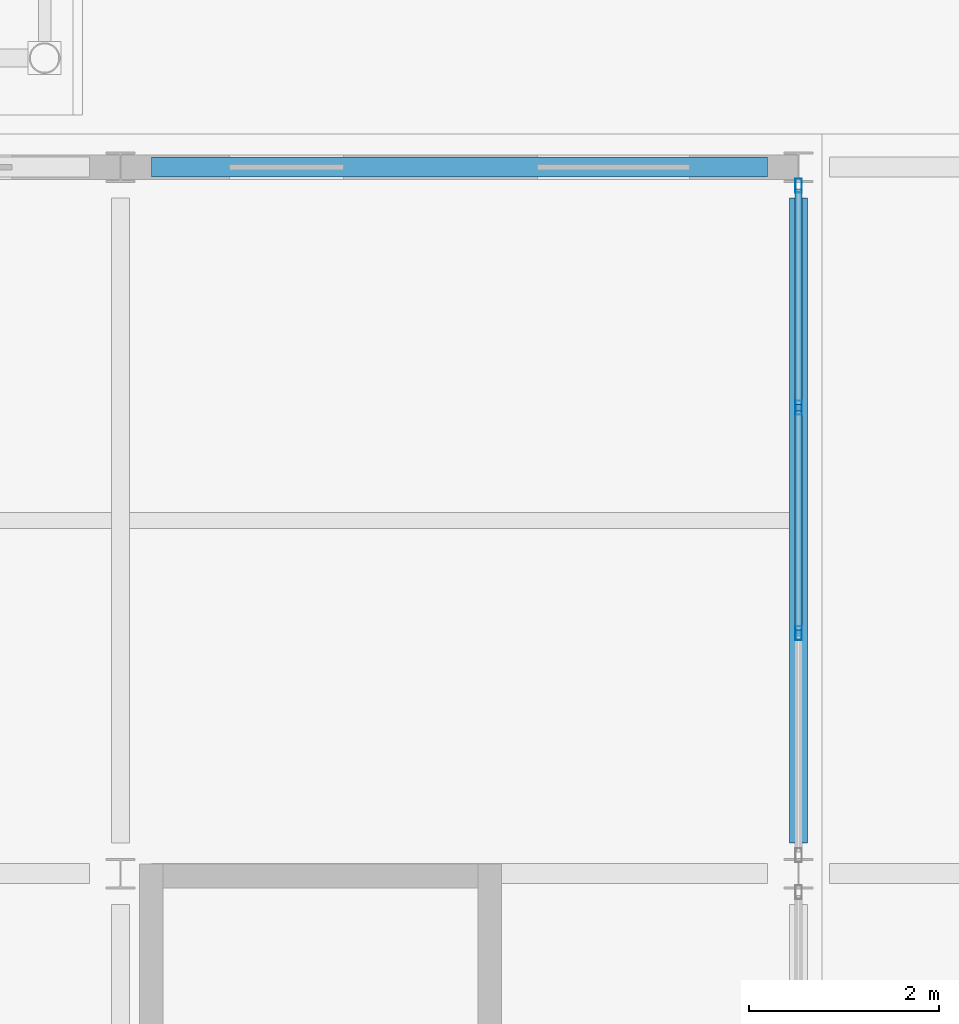
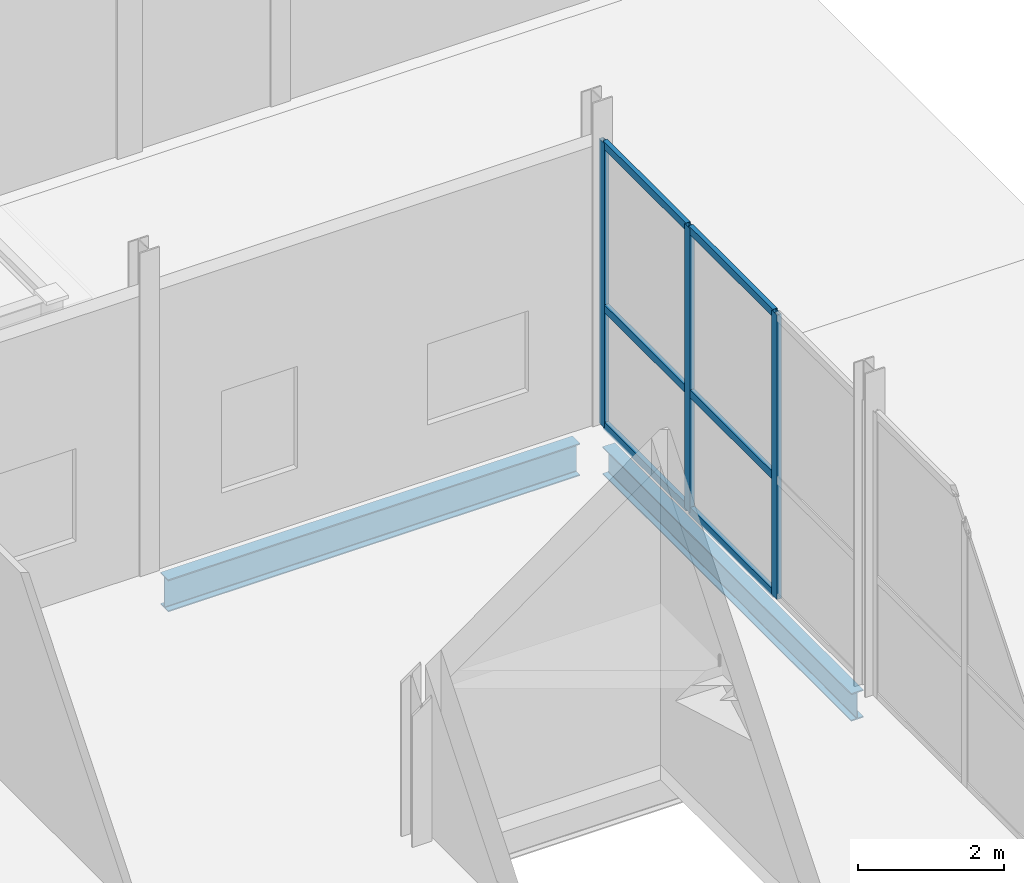
# One storey, part 21 of 83: 9 members, 2 beams, 1 element without a shape of its own.
"""IFC4 building model written with IfcOpenShell, lengths in metres."""

from ifc_helpers import new_model, si_unit, direction, frame, origin, origin_2d, place, context, subcontext, project, spatial, hollow_rectangle, i_section, extrude, material, layer, layer_set, material_profile, profile_set, type_object, element, aggregate, save


model = new_model("IFC4")

# Units and contexts
model_context = context("Model", 3, precision=1e-05, world=origin(), true_north=direction((0.0, 1.0)))
body_context = subcontext(model_context, "Body", "Model", "MODEL_VIEW")
ifc_project = project(units=[si_unit("LENGTHUNIT", "METRE"), si_unit("AREAUNIT", "SQUARE_METRE"), si_unit("VOLUMEUNIT", "CUBIC_METRE"), si_unit("PLANEANGLEUNIT", "RADIAN"), si_unit("MASSUNIT", "GRAM", prefix="KILO")], contexts=[model_context])

# Site, building, storey
site_placement = place(None, origin())
site = spatial("IfcSite", under=ifc_project, at=site_placement, CompositionType="ELEMENT")
building_placement = place(site_placement, origin())
building = spatial("IfcBuilding", under=site, at=building_placement, Name="Quillay Park Conservatory", CompositionType="ELEMENT")
storey_placement = place(building_placement, origin())
storey = spatial("IfcBuildingStorey", under=building, at=storey_placement, Name="L00", CompositionType="ELEMENT", Elevation=0.0)

# Curtain wall, members
ifc_material_1 = material(Name="Thermally Broken Anodised Aluminium 6063-T6", Category="aluminium")
ifc_layer = layer(ifc_material_1, 0.1650390625)
ifc_layer_set = layer_set([ifc_layer], Name="UNITISED CURTAIN WALL PODIUM (Thermally Broken Anodised Aluminium 6063-T6)")
curtain_wall_type = type_object("IfcCurtainWallType", Name="UNITISED CURTAIN WALL PODIUM", PredefinedType="USERDEFINED", material=ifc_layer_set)
curtain_wall_placement = place(storey_placement, origin())
curtain_wall = element("IfcCurtainWall", 1, at=curtain_wall_placement, inside=storey, type_object=curtain_wall_type, Name="L00 Unitised Curtain Wall 199", ObjectType="UNITISED CURTAIN WALL", PredefinedType="USERDEFINED")
ifc_material_2 = material(Name="Thermally Broken Anodised Aluminium 6063-T6", Category="aluminium")
ifc_material_profile_1 = material_profile(ifc_material_2, hollow_rectangle(XDim=0.070068359375, YDim=0.14990234375, WallThickness=0.00341796875, at=origin_2d()), Name="AL70x150x3.5")
ifc_profile_set_1 = profile_set([ifc_material_profile_1], Name="Thermally Broken Anodised Aluminium 6063-T6")
member_type_1 = type_object("IfcMemberType", Name="CURTAIN WALL MULLION 70 X150", PredefinedType="MULLION", material=ifc_profile_set_1)
member_1_placement = place(storey_placement, frame((22.14990234375, 54.054931640625, 0.0), z_axis=(0.0, 0.0, 1.0), x_axis=(1.0, 0.0, 0.0)))
member_1 = element("IfcMember", 2, at=member_1_placement, type_object=member_type_1, Name="CW-P1 mullion 1", PredefinedType="MULLION", context=body_context, shape_type="SweptSolid", body=[
    extrude(hollow_rectangle(XDim=0.070068359375, YDim=0.14990234375, WallThickness=0.00341796875, at=origin_2d()), origin(), (0.0, 0.0, 1.0), 4.7490234375),
])
member_2_placement = place(storey_placement, frame((22.14990234375, 51.71337890625, 0.0), z_axis=(0.0, 0.0, 1.0), x_axis=(1.0, 0.0, 0.0)))
member_2 = element("IfcMember", 3, at=member_2_placement, type_object=member_type_1, Name="CW-P1 mullion 2", PredefinedType="MULLION", context=body_context, shape_type="SweptSolid", body=[
    extrude(hollow_rectangle(XDim=0.070068359375, YDim=0.14990234375, WallThickness=0.00341796875, at=origin_2d()), origin(), (0.0, 0.0, 1.0), 4.7490234375),
])
member_3_placement = place(storey_placement, frame((22.14990234375, 49.336669921875, 0.0), z_axis=(0.0, 0.0, 1.0), x_axis=(1.0, 0.0, 0.0)))
member_3 = element("IfcMember", 4, at=member_3_placement, type_object=member_type_1, Name="CW-P1 mullion 3", PredefinedType="MULLION", context=body_context, shape_type="SweptSolid", body=[
    extrude(hollow_rectangle(XDim=0.070068359375, YDim=0.14990234375, WallThickness=0.00341796875, at=origin_2d()), origin(), (0.0, 0.0, 1.0), 4.7490234375),
])
ifc_material_3 = material(Name="Thermally Broken Anodised Aluminium 6063-T6", Category="aluminium")
ifc_material_profile_2 = material_profile(ifc_material_3, hollow_rectangle(XDim=0.070068359375, YDim=0.1298828125, WallThickness=0.003173828125, at=origin_2d()), Name="AL70x130x3.2")
ifc_profile_set_2 = profile_set([ifc_material_profile_2], Name="Thermally Broken Anodised Aluminium 6063-T6")
member_type_2 = type_object("IfcMemberType", Name="CURTAIN WALL TRANSOM 70 X130", PredefinedType="USERDEFINED", material=ifc_profile_set_2)
member_4_placement = place(storey_placement, frame((22.14990234375, 54.02001953125, 0.034912109375), z_axis=(0.0, -1.0, 0.0), x_axis=(1.0, 0.0, 0.0)))
member_4 = element("IfcMember", 5, at=member_4_placement, type_object=member_type_2, Name="CW-P1 transom 1.1", ObjectType="TRANSOM", PredefinedType="USERDEFINED", context=body_context, shape_type="SweptSolid", body=[
    extrude(hollow_rectangle(XDim=0.070068359375, YDim=0.1298828125, WallThickness=0.003173828125, at=origin_2d()), origin(), (0.0, 0.0, 1.0), 2.271728515625),
])
member_5_placement = place(storey_placement, frame((22.14990234375, 54.02001953125, 1.99462890625), z_axis=(0.0, -1.0, 0.0), x_axis=(1.0, 0.0, 0.0)))
member_5 = element("IfcMember", 6, at=member_5_placement, type_object=member_type_2, Name="CW-P1 transom 1.2", ObjectType="TRANSOM", PredefinedType="USERDEFINED", context=body_context, shape_type="SweptSolid", body=[
    extrude(hollow_rectangle(XDim=0.070068359375, YDim=0.1298828125, WallThickness=0.003173828125, at=origin_2d()), origin(), (0.0, 0.0, 1.0), 2.271728515625),
])
member_6_placement = place(storey_placement, frame((22.14990234375, 54.02001953125, 4.714111328125), z_axis=(0.0, -1.0, 0.0), x_axis=(1.0, 0.0, 0.0)))
member_6 = element("IfcMember", 7, at=member_6_placement, type_object=member_type_2, Name="CW-P1 transom 1.3", ObjectType="TRANSOM", PredefinedType="USERDEFINED", context=body_context, shape_type="SweptSolid", body=[
    extrude(hollow_rectangle(XDim=0.070068359375, YDim=0.1298828125, WallThickness=0.003173828125, at=origin_2d()), origin(), (0.0, 0.0, 1.0), 2.271728515625),
])
member_7_placement = place(storey_placement, frame((22.14990234375, 51.67822265625, 0.034912109375), z_axis=(0.0, -1.0, 0.0), x_axis=(1.0, 0.0, 0.0)))
member_7 = element("IfcMember", 8, at=member_7_placement, type_object=member_type_2, Name="CW-P1 transom 2.1", ObjectType="TRANSOM", PredefinedType="USERDEFINED", context=body_context, shape_type="SweptSolid", body=[
    extrude(hollow_rectangle(XDim=0.070068359375, YDim=0.1298828125, WallThickness=0.003173828125, at=origin_2d()), origin(), (0.0, 0.0, 1.0), 2.306640625),
])
member_8_placement = place(storey_placement, frame((22.14990234375, 51.67822265625, 1.99462890625), z_axis=(0.0, -1.0, 0.0), x_axis=(1.0, 0.0, 0.0)))
member_8 = element("IfcMember", 9, at=member_8_placement, type_object=member_type_2, Name="CW-P1 transom 2.2", ObjectType="TRANSOM", PredefinedType="USERDEFINED", context=body_context, shape_type="SweptSolid", body=[
    extrude(hollow_rectangle(XDim=0.070068359375, YDim=0.1298828125, WallThickness=0.003173828125, at=origin_2d()), origin(), (0.0, 0.0, 1.0), 2.306640625),
])
member_9_placement = place(storey_placement, frame((22.14990234375, 51.67822265625, 4.714111328125), z_axis=(0.0, -1.0, 0.0), x_axis=(1.0, 0.0, 0.0)))
member_9 = element("IfcMember", 10, at=member_9_placement, type_object=member_type_2, Name="CW-P1 transom 2.3", ObjectType="TRANSOM", PredefinedType="USERDEFINED", context=body_context, shape_type="SweptSolid", body=[
    extrude(hollow_rectangle(XDim=0.070068359375, YDim=0.1298828125, WallThickness=0.003173828125, at=origin_2d()), origin(), (0.0, 0.0, 1.0), 2.306640625),
])
aggregate(curtain_wall, [member_1, member_2, member_3, member_4, member_5, member_6, member_7, member_8, member_9])

# Beams
ifc_material_4 = material(Name="Steel ASTM A992 Grade 50", Category="steel")
ifc_material_profile_3 = material_profile(ifc_material_4, i_section(OverallWidth=0.19189453125, OverallDepth=0.462890625, WebThickness=0.010498046875, FlangeThickness=0.017578125, FilletRadius=0.012939453125, at=origin_2d()), Name="W460x89")
ifc_profile_set_3 = profile_set([ifc_material_profile_3], Name="Steel ASTM A992 Grade 50")
beam_type_1 = type_object("IfcBeamType", Name="PRIMARY FLOOR GIRDER W460 X89", PredefinedType="BEAM", material=ifc_profile_set_3)
beam_1_placement = place(storey_placement, frame((22.14990234375, 47.125, -0.4814453125), z_axis=(0.0, 1.0, 0.0), x_axis=(-1.0, 0.0, 0.0)))
element("IfcBeam", 11, at=beam_1_placement, inside=storey, type_object=beam_type_1, Name="L00 beam BM-V3Y-1235", PredefinedType="BEAM", context=body_context, shape_type="SweptSolid", body=[
    extrude(i_section(OverallWidth=0.19189453125, OverallDepth=0.462890625, WebThickness=0.010498046875, FlangeThickness=0.017578125, FilletRadius=0.012939453125, at=origin_2d()), origin(), (0.0, 0.0, 1.0), 6.800048828125),
])
ifc_material_5 = material(Name="Steel ASTM A992 Grade 50", Category="steel")
ifc_material_profile_4 = material_profile(ifc_material_5, i_section(OverallWidth=0.2109375, OverallDepth=0.5390625, WebThickness=0.01171875, FlangeThickness=0.018798828125, FilletRadius=0.013916015625, at=origin_2d()), Name="W530x109")
ifc_profile_set_4 = profile_set([ifc_material_profile_4], Name="Steel ASTM A992 Grade 50")
beam_type_2 = type_object("IfcBeamType", Name="PRIMARY FLOOR GIRDER W530 X109", PredefinedType="BEAM", material=ifc_profile_set_4)
beam_2_placement = place(storey_placement, frame((15.324951171875, 54.25, -0.51953125), z_axis=(1.0, 0.0, 0.0), x_axis=(0.0, 1.0, 0.0)))
element("IfcBeam", 12, at=beam_2_placement, inside=storey, type_object=beam_type_2, Name="L00 beam BM-V3X-1206", PredefinedType="BEAM", context=body_context, shape_type="SweptSolid", body=[
    extrude(i_section(OverallWidth=0.2109375, OverallDepth=0.5390625, WebThickness=0.01171875, FlangeThickness=0.018798828125, FilletRadius=0.013916015625, at=origin_2d()), origin(), (0.0, 0.0, 1.0), 6.5),
])

save(model, "model.ifc")
